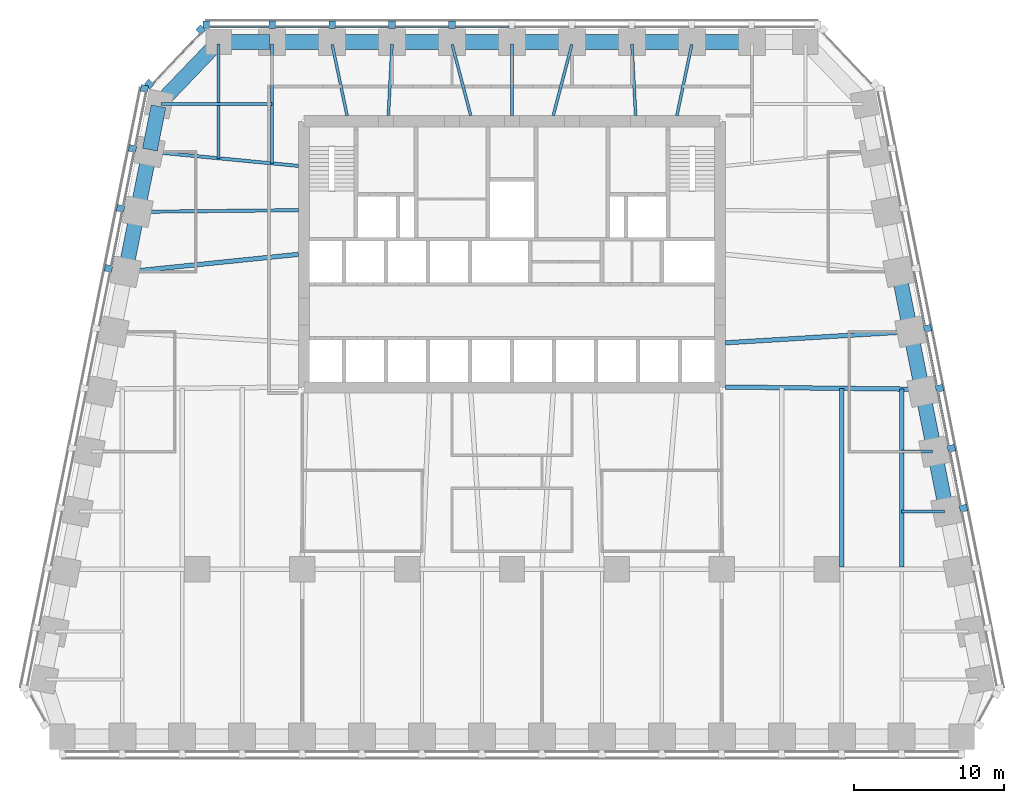
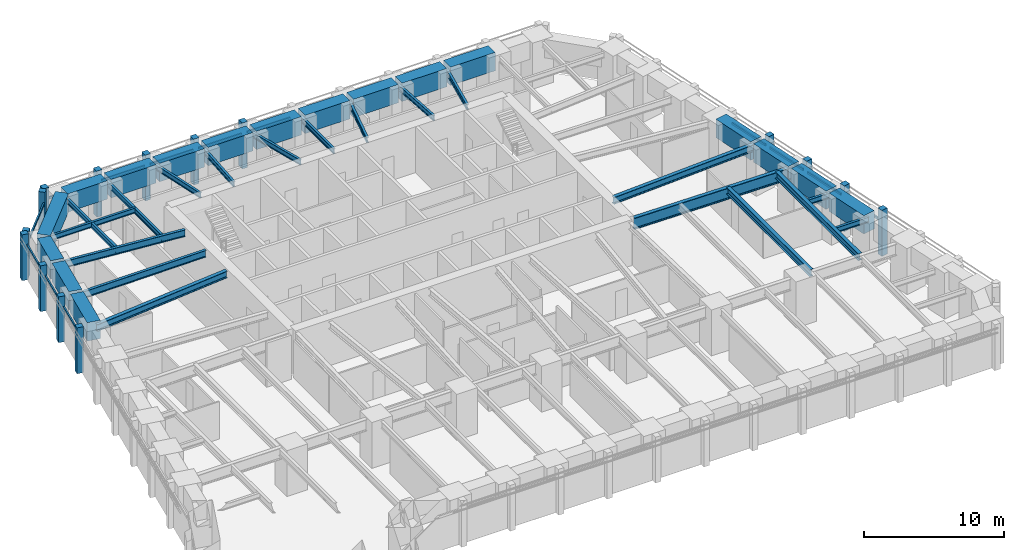
# One storey, part 3 of 10: 36 beams, 28 members, 4 elements without a shape of their own.
"""IFC4 building model written with IfcOpenShell, lengths in metres."""

from ifc_helpers import new_model, si_unit, direction, frame, origin, origin_2d, place, context, subcontext, project, spatial, rectangle, i_section, extrude, material, material_profile, profile_set, type_object, element, aggregate, save


model = new_model("IFC4")

# Units and contexts
model_context = context("Model", 3, precision=1e-05, world=origin(), true_north=direction((0.0, 1.0)))
body_context = subcontext(model_context, "Body", "Model", "MODEL_VIEW")
ifc_project = project(units=[si_unit("LENGTHUNIT", "METRE"), si_unit("AREAUNIT", "SQUARE_METRE"), si_unit("VOLUMEUNIT", "CUBIC_METRE"), si_unit("PLANEANGLEUNIT", "RADIAN"), si_unit("MASSUNIT", "GRAM", prefix="KILO")], contexts=[model_context])

# Site, building, storey
site_placement = place(None, origin())
site = spatial("IfcSite", under=ifc_project, at=site_placement, CompositionType="ELEMENT")
building_placement = place(site_placement, origin())
building = spatial("IfcBuilding", under=site, at=building_placement, Name="Isbrekke Arena Tower", CompositionType="ELEMENT")
storey_placement = place(building_placement, frame((0.0, 0.0, 139.0)))
storey = spatial("IfcBuildingStorey", under=building, at=storey_placement, Name="L31", CompositionType="ELEMENT", Elevation=139.0)

# Beams
ifc_material_1 = material(Name="Steel S355", Category="steel")
ifc_material_profile_1 = material_profile(ifc_material_1, i_section(OverallWidth=0.219970703125, OverallDepth=0.60009765625, WebThickness=0.011962890625, FlangeThickness=0.01904296875, FilletRadius=0.02392578125, at=origin_2d()), Name="IPE 600")
ifc_profile_set_1 = profile_set([ifc_material_profile_1], Name="Steel S355")
beam_type_1 = type_object("IfcBeamType", Name="B1 IPE 600", PredefinedType="BEAM", material=ifc_profile_set_1)
beam_1_placement = place(storey_placement, frame((-24.030517578125, 21.837158203125, 3.550048828125), z_axis=(0.995439798606, -0.095391862082, 0.0), x_axis=(0.095391862082, 0.995439798606, 0.0)))
element("IfcBeam", 1, at=beam_1_placement, inside=storey, type_object=beam_type_1, Name="B1 beam E-W02 L31", PredefinedType="BEAM", context=body_context, shape_type="SweptSolid", body=[
    extrude(i_section(OverallWidth=0.219970703125, OverallDepth=0.60009765625, WebThickness=0.011962890625, FlangeThickness=0.01904296875, FilletRadius=0.02392578125, at=origin_2d()), origin(), (0.0, 0.0, 1.0), 9.825439453125),
])
beam_2_placement = place(storey_placement, frame((-24.83984375, 17.838134765625, 3.550048828125), z_axis=(0.999944260169, 0.010558245831, 0.0), x_axis=(-0.010558245831, 0.999944260169, 0.0)))
element("IfcBeam", 2, at=beam_2_placement, inside=storey, type_object=beam_type_1, Name="B1 beam E-W03 L31", PredefinedType="BEAM", context=body_context, shape_type="SweptSolid", body=[
    extrude(i_section(OverallWidth=0.219970703125, OverallDepth=0.60009765625, WebThickness=0.011962890625, FlangeThickness=0.01904296875, FilletRadius=0.02392578125, at=origin_2d()), origin(), (0.0, 0.0, 1.0), 10.59033203125),
])
ifc_material_2 = material(Name="Steel S355", Category="steel")
ifc_material_profile_2 = material_profile(ifc_material_2, i_section(OverallWidth=0.18994140625, OverallDepth=0.449951171875, WebThickness=0.009521484375, FlangeThickness=0.0146484375, FilletRadius=0.02099609375, at=origin_2d()), Name="IPE 450")
ifc_profile_set_2 = profile_set([ifc_material_profile_2], Name="Steel S355")
beam_type_2 = type_object("IfcBeamType", Name="B2 IPE 450", PredefinedType="BEAM", material=ifc_profile_set_2)
beam_3_placement = place(storey_placement, frame((28.841064453125, -2.161865234375, 3.625), z_axis=(-1.0, 0.0, 0.0), x_axis=(0.0, -1.0, 0.0)))
element("IfcBeam", 3, at=beam_3_placement, inside=storey, type_object=beam_type_2, Name="B2 beam E-E04 L31", PredefinedType="BEAM", context=body_context, shape_type="SweptSolid", body=[
    extrude(i_section(OverallWidth=0.18994140625, OverallDepth=0.449951171875, WebThickness=0.009521484375, FlangeThickness=0.0146484375, FilletRadius=0.02099609375, at=origin_2d()), origin(), (0.0, 0.0, 1.0), 2.841064453125),
])
beam_4_placement = place(storey_placement, frame((28.041015625, 1.838134765625, 3.625), z_axis=(-1.0, 0.0, 0.0), x_axis=(0.0, -1.0, 0.0)))
element("IfcBeam", 4, at=beam_4_placement, inside=storey, type_object=beam_type_2, Name="B2 beam E-E05 L31", PredefinedType="BEAM", context=body_context, shape_type="SweptSolid", body=[
    extrude(i_section(OverallWidth=0.18994140625, OverallDepth=0.449951171875, WebThickness=0.009521484375, FlangeThickness=0.0146484375, FilletRadius=0.02099609375, at=origin_2d()), origin(), (0.0, 0.0, 1.0), 2.041015625),
])
beam_5_placement = place(storey_placement, frame((-23.40283203125, 25.029296875, 3.625), z_axis=(1.0, 0.0, 0.0), x_axis=(0.0, 1.0, 0.0)))
element("IfcBeam", 5, at=beam_5_placement, inside=storey, type_object=beam_type_2, Name="B2 beam E-W01 L31", PredefinedType="BEAM", context=body_context, shape_type="SweptSolid", body=[
    extrude(i_section(OverallWidth=0.18994140625, OverallDepth=0.449951171875, WebThickness=0.009521484375, FlangeThickness=0.0146484375, FilletRadius=0.02099609375, at=origin_2d()), origin(), (0.0, 0.0, 1.0), 7.40283203125),
])
ifc_material_3 = material(Name="Steel S355", Category="steel")
ifc_material_profile_3 = material_profile(ifc_material_3, i_section(OverallWidth=0.18994140625, OverallDepth=0.449951171875, WebThickness=0.009521484375, FlangeThickness=0.0146484375, FilletRadius=0.02099609375, at=origin_2d()), Name="IPE 450")
ifc_profile_set_3 = profile_set([ifc_material_profile_3], Name="Steel S355")
beam_type_3 = type_object("IfcBeamType", Name="B3 IPE 450", PredefinedType="BEAM", material=ifc_profile_set_3)
beam_6_placement = place(storey_placement, frame((-16.0, 29.02490234375, 3.625), z_axis=(0.0, -1.0, 0.0), x_axis=(1.0, 0.0, 0.0)))
element("IfcBeam", 6, at=beam_6_placement, inside=storey, type_object=beam_type_3, Name="B3 beam N-N10 L31", PredefinedType="BEAM", context=body_context, shape_type="SweptSolid", body=[
    extrude(i_section(OverallWidth=0.18994140625, OverallDepth=0.449951171875, WebThickness=0.009521484375, FlangeThickness=0.0146484375, FilletRadius=0.02099609375, at=origin_2d()), origin(), (0.0, 0.0, 1.0), 7.957275390625),
])
beam_7_placement = place(storey_placement, frame((-19.574951171875, 29.02490234375, 3.625), z_axis=(0.0, -1.0, 0.0), x_axis=(1.0, 0.0, 0.0)))
element("IfcBeam", 7, at=beam_7_placement, inside=storey, type_object=beam_type_3, Name="B3 beam N-N11 L31", PredefinedType="BEAM", context=body_context, shape_type="SweptSolid", body=[
    extrude(i_section(OverallWidth=0.18994140625, OverallDepth=0.449951171875, WebThickness=0.009521484375, FlangeThickness=0.0146484375, FilletRadius=0.02099609375, at=origin_2d()), origin(), (0.0, 0.0, 1.0), 7.61474609375),
])
beam_8_placement = place(storey_placement, frame((11.99609375, 29.005859375, 3.625), z_axis=(-0.20499748459, -0.978762499952, 0.0), x_axis=(0.978762499952, -0.20499748459, 0.0)))
element("IfcBeam", 8, at=beam_8_placement, inside=storey, type_object=beam_type_3, Name="B3 beam N-N03 L31", PredefinedType="BEAM", context=body_context, shape_type="SweptSolid", body=[
    extrude(i_section(OverallWidth=0.18994140625, OverallDepth=0.449951171875, WebThickness=0.009521484375, FlangeThickness=0.0146484375, FilletRadius=0.02099609375, at=origin_2d()), origin(), (0.0, 0.0, 1.0), 4.859130859375),
])
beam_9_placement = place(storey_placement, frame((8.000244140625, 29.02001953125, 3.625), z_axis=(0.052287879538, -0.998632053187, 0.0), x_axis=(0.998632053187, 0.052287879538, 0.0)))
element("IfcBeam", 9, at=beam_9_placement, inside=storey, type_object=beam_type_3, Name="B3 beam N-N04 L31", PredefinedType="BEAM", context=body_context, shape_type="SweptSolid", body=[
    extrude(i_section(OverallWidth=0.18994140625, OverallDepth=0.449951171875, WebThickness=0.009521484375, FlangeThickness=0.0146484375, FilletRadius=0.02099609375, at=origin_2d()), origin(), (0.0, 0.0, 1.0), 4.776611328125),
])
beam_10_placement = place(storey_placement, frame((3.993896484375, 29.001708984375, 3.625), z_axis=(-0.253245319824, -0.967402092197, 0.0), x_axis=(0.967402092197, -0.253245319824, 0.0)))
element("IfcBeam", 10, at=beam_10_placement, inside=storey, type_object=beam_type_3, Name="B3 beam N-N05 L31", PredefinedType="BEAM", context=body_context, shape_type="SweptSolid", body=[
    extrude(i_section(OverallWidth=0.18994140625, OverallDepth=0.449951171875, WebThickness=0.009521484375, FlangeThickness=0.0146484375, FilletRadius=0.02099609375, at=origin_2d()), origin(), (0.0, 0.0, 1.0), 4.911865234375),
])
beam_11_placement = place(storey_placement, frame((0.0, 29.02490234375, 3.625), z_axis=(0.0, -1.0, 0.0), x_axis=(1.0, 0.0, 0.0)))
element("IfcBeam", 11, at=beam_11_placement, inside=storey, type_object=beam_type_3, Name="B3 beam N-N06 L31", PredefinedType="BEAM", context=body_context, shape_type="SweptSolid", body=[
    extrude(i_section(OverallWidth=0.18994140625, OverallDepth=0.449951171875, WebThickness=0.009521484375, FlangeThickness=0.0146484375, FilletRadius=0.02099609375, at=origin_2d()), origin(), (0.0, 0.0, 1.0), 4.77490234375),
])
beam_12_placement = place(storey_placement, frame((-3.993896484375, 29.001708984375, 3.625), z_axis=(0.253245319824, -0.967402092197, 0.0), x_axis=(0.967402092197, 0.253245319824, 0.0)))
element("IfcBeam", 12, at=beam_12_placement, inside=storey, type_object=beam_type_3, Name="B3 beam N-N07 L31", PredefinedType="BEAM", context=body_context, shape_type="SweptSolid", body=[
    extrude(i_section(OverallWidth=0.18994140625, OverallDepth=0.449951171875, WebThickness=0.009521484375, FlangeThickness=0.0146484375, FilletRadius=0.02099609375, at=origin_2d()), origin(), (0.0, 0.0, 1.0), 4.911865234375),
])
beam_13_placement = place(storey_placement, frame((-8.000244140625, 29.02001953125, 3.625), z_axis=(-0.052287879538, -0.998632053187, 0.0), x_axis=(0.998632053187, -0.052287879538, 0.0)))
element("IfcBeam", 13, at=beam_13_placement, inside=storey, type_object=beam_type_3, Name="B3 beam N-N08 L31", PredefinedType="BEAM", context=body_context, shape_type="SweptSolid", body=[
    extrude(i_section(OverallWidth=0.18994140625, OverallDepth=0.449951171875, WebThickness=0.009521484375, FlangeThickness=0.0146484375, FilletRadius=0.02099609375, at=origin_2d()), origin(), (0.0, 0.0, 1.0), 4.776611328125),
])
beam_14_placement = place(storey_placement, frame((-11.99609375, 29.005859375, 3.625), z_axis=(0.20499748459, -0.978762499952, 0.0), x_axis=(0.978762499952, 0.20499748459, 0.0)))
element("IfcBeam", 14, at=beam_14_placement, inside=storey, type_object=beam_type_3, Name="B3 beam N-N09 L31", PredefinedType="BEAM", context=body_context, shape_type="SweptSolid", body=[
    extrude(i_section(OverallWidth=0.18994140625, OverallDepth=0.449951171875, WebThickness=0.009521484375, FlangeThickness=0.0146484375, FilletRadius=0.02099609375, at=origin_2d()), origin(), (0.0, 0.0, 1.0), 4.859130859375),
])
ifc_material_4 = material(Name="Steel S355", Category="steel")
ifc_material_profile_4 = material_profile(ifc_material_4, i_section(OverallWidth=0.300048828125, OverallDepth=0.60009765625, WebThickness=0.015380859375, FlangeThickness=0.030029296875, FilletRadius=0.027099609375, at=origin_2d()), Name="HEB 600")
ifc_profile_set_4 = profile_set([ifc_material_profile_4], Name="Steel S355")
beam_type_4 = type_object("IfcBeamType", Name="B7 HEB 600", PredefinedType="BEAM", material=ifc_profile_set_4)
beam_15_placement = place(storey_placement, frame((22.0, -5.84912109375, 3.550048828125), z_axis=(0.0, 1.0, 0.0), x_axis=(-1.0, 0.0, 0.0)))
element("IfcBeam", 15, at=beam_15_placement, inside=storey, type_object=beam_type_4, Name="B7 beam C-M13 L31", PredefinedType="BEAM", context=body_context, shape_type="SweptSolid", body=[
    extrude(i_section(OverallWidth=0.300048828125, OverallDepth=0.60009765625, WebThickness=0.015380859375, FlangeThickness=0.030029296875, FilletRadius=0.027099609375, at=origin_2d()), origin(), (0.0, 0.0, 1.0), 11.91064453125),
])
beam_16_placement = place(storey_placement, frame((26.0, -5.84912109375, 3.550048828125), z_axis=(0.0, 1.0, 0.0), x_axis=(-1.0, 0.0, 0.0)))
element("IfcBeam", 16, at=beam_16_placement, inside=storey, type_object=beam_type_4, Name="B7 beam C-M14 L31", PredefinedType="BEAM", context=body_context, shape_type="SweptSolid", body=[
    extrude(i_section(OverallWidth=0.300048828125, OverallDepth=0.60009765625, WebThickness=0.015380859375, FlangeThickness=0.030029296875, FilletRadius=0.027099609375, at=origin_2d()), origin(), (0.0, 0.0, 1.0), 11.864990234375),
])
beam_17_placement = place(storey_placement, frame((26.431884765625, 9.837646484375, 3.550048828125), z_axis=(-0.998172191876, -0.060434057993, 0.0), x_axis=(0.060434057993, -0.998172191876, 0.0)))
element("IfcBeam", 17, at=beam_17_placement, inside=storey, type_object=beam_type_4, Name="B7 beam E-E07 L31", PredefinedType="BEAM", context=body_context, shape_type="SweptSolid", body=[
    extrude(i_section(OverallWidth=0.300048828125, OverallDepth=0.60009765625, WebThickness=0.015380859375, FlangeThickness=0.030029296875, FilletRadius=0.027099609375, at=origin_2d()), origin(), (0.0, 0.0, 1.0), 12.2041015625),
])
beam_18_placement = place(storey_placement, frame((-25.6259765625, 13.83984375, 3.550048828125), z_axis=(0.994839949319, 0.10145676537, 0.0), x_axis=(-0.10145676537, 0.994839949319, 0.0)))
element("IfcBeam", 18, at=beam_18_placement, inside=storey, type_object=beam_type_4, Name="B7 beam E-W04 L31", PredefinedType="BEAM", context=body_context, shape_type="SweptSolid", body=[
    extrude(i_section(OverallWidth=0.300048828125, OverallDepth=0.60009765625, WebThickness=0.015380859375, FlangeThickness=0.030029296875, FilletRadius=0.027099609375, at=origin_2d()), origin(), (0.0, 0.0, 1.0), 11.43505859375),
])

# Curtain wall, members
ifc_material_5 = material(Name="Glazed aluminium curtain wall", Category="aluminium")
curtain_wall_type = type_object("IfcCurtainWallType", Name="CWM TOWER CURTAIN WALL MID ZONE", PredefinedType="USERDEFINED", material=ifc_material_5)
curtain_wall_1_placement = place(storey_placement, origin())
curtain_wall_1 = element("IfcCurtainWall", 19, at=curtain_wall_1_placement, inside=storey, type_object=curtain_wall_type, Name="CWM curtain wall L31-E", ObjectType="TOWER CURTAIN WALL MID ZONE", PredefinedType="USERDEFINED")
ifc_material_6 = material(Name="Aluminium mullion, pale brick slip cladding", Category="masonry")
ifc_material_profile_5 = material_profile(ifc_material_6, rectangle(XDim=0.449951171875, YDim=0.5, at=origin_2d()), Name="PIER 450X500")
ifc_profile_set_5 = profile_set([ifc_material_profile_5], Name="Aluminium mullion, pale brick slip cladding")
member_type_1 = type_object("IfcMemberType", Name="CWM-M PIER MULLION 450 x 500", PredefinedType="MULLION", material=ifc_profile_set_5)
member_1_placement = place(storey_placement, frame((30.11865234375, -1.936279296875, 0.0), z_axis=(0.0, 0.0, 1.0), x_axis=(-0.196116135138, 0.980580675691, 0.0)))
member_1 = element("IfcMember", 20, at=member_1_placement, type_object=member_type_1, Name="CWM-M mullion 4", PredefinedType="MULLION", context=body_context, shape_type="SweptSolid", body=[
    extrude(rectangle(XDim=0.449951171875, YDim=0.5, at=origin_2d()), origin(), (0.0, 0.0, 1.0), 4.0),
])
member_2_placement = place(storey_placement, frame((29.318603515625, 2.063720703125, 0.0), z_axis=(0.0, 0.0, 1.0), x_axis=(-0.196116135138, 0.980580675691, 0.0)))
member_2 = element("IfcMember", 21, at=member_2_placement, type_object=member_type_1, Name="CWM-M mullion 5", PredefinedType="MULLION", context=body_context, shape_type="SweptSolid", body=[
    extrude(rectangle(XDim=0.449951171875, YDim=0.5, at=origin_2d()), origin(), (0.0, 0.0, 1.0), 4.0),
])
member_3_placement = place(storey_placement, frame((28.518798828125, 6.063720703125, 0.0), z_axis=(0.0, 0.0, 1.0), x_axis=(-0.196116135138, 0.980580675691, 0.0)))
member_3 = element("IfcMember", 22, at=member_3_placement, type_object=member_type_1, Name="CWM-M mullion 6", PredefinedType="MULLION", context=body_context, shape_type="SweptSolid", body=[
    extrude(rectangle(XDim=0.449951171875, YDim=0.5, at=origin_2d()), origin(), (0.0, 0.0, 1.0), 4.0),
])
member_4_placement = place(storey_placement, frame((27.71875, 10.063720703125, 0.0), z_axis=(0.0, 0.0, 1.0), x_axis=(-0.196116135138, 0.980580675691, 0.0)))
member_4 = element("IfcMember", 23, at=member_4_placement, type_object=member_type_1, Name="CWM-M mullion 7", PredefinedType="MULLION", context=body_context, shape_type="SweptSolid", body=[
    extrude(rectangle(XDim=0.449951171875, YDim=0.5, at=origin_2d()), origin(), (0.0, 0.0, 1.0), 4.0),
])

curtain_wall_2_placement = place(storey_placement, origin())
curtain_wall_2 = element("IfcCurtainWall", 24, at=curtain_wall_2_placement, inside=storey, type_object=curtain_wall_type, Name="CWM curtain wall L31-N", ObjectType="TOWER CURTAIN WALL MID ZONE", PredefinedType="USERDEFINED")
member_5_placement = place(storey_placement, frame((-4.0, 30.324951171875, 0.0), z_axis=(0.0, 0.0, 1.0), x_axis=(-1.0, 0.0, 0.0)))
member_5 = element("IfcMember", 25, at=member_5_placement, type_object=member_type_1, Name="CWM-M mullion 7", PredefinedType="MULLION", context=body_context, shape_type="SweptSolid", body=[
    extrude(rectangle(XDim=0.449951171875, YDim=0.5, at=origin_2d()), origin(), (0.0, 0.0, 1.0), 4.0),
])
member_6_placement = place(storey_placement, frame((-8.0, 30.324951171875, 0.0), z_axis=(0.0, 0.0, 1.0), x_axis=(-1.0, 0.0, 0.0)))
member_6 = element("IfcMember", 26, at=member_6_placement, type_object=member_type_1, Name="CWM-M mullion 8", PredefinedType="MULLION", context=body_context, shape_type="SweptSolid", body=[
    extrude(rectangle(XDim=0.449951171875, YDim=0.5, at=origin_2d()), origin(), (0.0, 0.0, 1.0), 4.0),
])
member_7_placement = place(storey_placement, frame((-12.0, 30.324951171875, 0.0), z_axis=(0.0, 0.0, 1.0), x_axis=(-1.0, 0.0, 0.0)))
member_7 = element("IfcMember", 27, at=member_7_placement, type_object=member_type_1, Name="CWM-M mullion 9", PredefinedType="MULLION", context=body_context, shape_type="SweptSolid", body=[
    extrude(rectangle(XDim=0.449951171875, YDim=0.5, at=origin_2d()), origin(), (0.0, 0.0, 1.0), 4.0),
])
member_8_placement = place(storey_placement, frame((-16.0, 30.324951171875, 0.0), z_axis=(0.0, 0.0, 1.0), x_axis=(-1.0, 0.0, 0.0)))
member_8 = element("IfcMember", 28, at=member_8_placement, type_object=member_type_1, Name="CWM-M mullion 10", PredefinedType="MULLION", context=body_context, shape_type="SweptSolid", body=[
    extrude(rectangle(XDim=0.449951171875, YDim=0.5, at=origin_2d()), origin(), (0.0, 0.0, 1.0), 4.0),
])
member_9_placement = place(storey_placement, frame((-20.39990234375, 30.324951171875, 0.0), z_axis=(0.0, 0.0, 1.0), x_axis=(-1.0, 0.0, 0.0)))
member_9 = element("IfcMember", 29, at=member_9_placement, type_object=member_type_1, Name="CWM-M mullion 11", PredefinedType="MULLION", context=body_context, shape_type="SweptSolid", body=[
    extrude(rectangle(XDim=0.449951171875, YDim=0.5, at=origin_2d()), origin(), (0.0, 0.0, 1.0), 4.0),
])

curtain_wall_3_placement = place(storey_placement, origin())
curtain_wall_3 = element("IfcCurtainWall", 30, at=curtain_wall_3_placement, inside=storey, type_object=curtain_wall_type, Name="CWM curtain wall L31-NW", ObjectType="TOWER CURTAIN WALL MID ZONE", PredefinedType="USERDEFINED")
member_10_placement = place(storey_placement, frame((-20.759033203125, 29.985107421875, 0.0), z_axis=(0.0, 0.0, 1.0), x_axis=(-0.68874946192, -0.72499943359, 0.0)))
member_10 = element("IfcMember", 31, at=member_10_placement, type_object=member_type_1, Name="CWM-M mullion 1", PredefinedType="MULLION", context=body_context, shape_type="SweptSolid", body=[
    extrude(rectangle(XDim=0.449951171875, YDim=0.5, at=origin_2d()), origin(), (0.0, 0.0, 1.0), 4.0),
])
member_11_placement = place(storey_placement, frame((-24.207763671875, 26.35498046875, 0.0), z_axis=(0.0, 0.0, 1.0), x_axis=(-0.68874946192, -0.72499943359, 0.0)))
member_11 = element("IfcMember", 32, at=member_11_placement, type_object=member_type_1, Name="CWM-M mullion 2", PredefinedType="MULLION", context=body_context, shape_type="SweptSolid", body=[
    extrude(rectangle(XDim=0.449951171875, YDim=0.5, at=origin_2d()), origin(), (0.0, 0.0, 1.0), 4.0),
])

curtain_wall_4_placement = place(storey_placement, origin())
curtain_wall_4 = element("IfcCurtainWall", 33, at=curtain_wall_4_placement, inside=storey, type_object=curtain_wall_type, Name="CWM curtain wall L31-W", ObjectType="TOWER CURTAIN WALL MID ZONE", PredefinedType="USERDEFINED")
member_12_placement = place(storey_placement, frame((-24.518798828125, 26.063720703125, 0.0), z_axis=(0.0, 0.0, 1.0), x_axis=(-0.196116135138, -0.980580675691, 0.0)))
member_12 = element("IfcMember", 34, at=member_12_placement, type_object=member_type_1, Name="CWM-M mullion 1", PredefinedType="MULLION", context=body_context, shape_type="SweptSolid", body=[
    extrude(rectangle(XDim=0.449951171875, YDim=0.5, at=origin_2d()), origin(), (0.0, 0.0, 1.0), 4.0),
])
member_13_placement = place(storey_placement, frame((-25.318603515625, 22.063720703125, 0.0), z_axis=(0.0, 0.0, 1.0), x_axis=(-0.196116135138, -0.980580675691, 0.0)))
member_13 = element("IfcMember", 35, at=member_13_placement, type_object=member_type_1, Name="CWM-M mullion 2", PredefinedType="MULLION", context=body_context, shape_type="SweptSolid", body=[
    extrude(rectangle(XDim=0.449951171875, YDim=0.5, at=origin_2d()), origin(), (0.0, 0.0, 1.0), 4.0),
])
member_14_placement = place(storey_placement, frame((-26.11865234375, 18.063720703125, 0.0), z_axis=(0.0, 0.0, 1.0), x_axis=(-0.196116135138, -0.980580675691, 0.0)))
member_14 = element("IfcMember", 36, at=member_14_placement, type_object=member_type_1, Name="CWM-M mullion 3", PredefinedType="MULLION", context=body_context, shape_type="SweptSolid", body=[
    extrude(rectangle(XDim=0.449951171875, YDim=0.5, at=origin_2d()), origin(), (0.0, 0.0, 1.0), 4.0),
])
member_15_placement = place(storey_placement, frame((-26.918701171875, 14.063720703125, 0.0), z_axis=(0.0, 0.0, 1.0), x_axis=(-0.196116135138, -0.980580675691, 0.0)))
member_15 = element("IfcMember", 37, at=member_15_placement, type_object=member_type_1, Name="CWM-M mullion 4", PredefinedType="MULLION", context=body_context, shape_type="SweptSolid", body=[
    extrude(rectangle(XDim=0.449951171875, YDim=0.5, at=origin_2d()), origin(), (0.0, 0.0, 1.0), 4.0),
])

# Member
ifc_material_7 = material(Name="Aluminium transom", Category="aluminium")
ifc_material_profile_6 = material_profile(ifc_material_7, rectangle(XDim=0.1201171875, YDim=0.199951171875, at=origin_2d()), Name="TRANSOM 120X200")
ifc_profile_set_6 = profile_set([ifc_material_profile_6], Name="Aluminium transom")
member_type_2 = type_object("IfcMemberType", Name="CWM-T TRANSOM 120 x 200", PredefinedType="USERDEFINED", material=ifc_profile_set_6)
member_16_placement = place(storey_placement, frame((29.927490234375, -1.7451171875, 3.0), z_axis=(-0.196090262229, 0.980585849918, 0.0), x_axis=(-0.980585849918, -0.196090262229, 0.0)))
member_16 = element("IfcMember", 38, at=member_16_placement, type_object=member_type_2, Name="CWM-T transom 4", ObjectType="TRANSOM", PredefinedType="USERDEFINED", context=body_context, shape_type="SweptSolid", body=[
    extrude(rectangle(XDim=0.1201171875, YDim=0.199951171875, at=origin_2d()), origin(), (0.0, 0.0, 1.0), 3.62939453125),
])

member_17_placement = place(storey_placement, frame((29.12744140625, 2.2548828125, 3.0), z_axis=(-0.196090262229, 0.980585849918, 0.0), x_axis=(-0.980585849918, -0.196090262229, 0.0)))
member_17 = element("IfcMember", 39, at=member_17_placement, type_object=member_type_2, Name="CWM-T transom 5", ObjectType="TRANSOM", PredefinedType="USERDEFINED", context=body_context, shape_type="SweptSolid", body=[
    extrude(rectangle(XDim=0.1201171875, YDim=0.199951171875, at=origin_2d()), origin(), (0.0, 0.0, 1.0), 3.62939453125),
])

member_18_placement = place(storey_placement, frame((28.327392578125, 6.2548828125, 3.0), z_axis=(-0.196090262229, 0.980585849918, 0.0), x_axis=(-0.980585849918, -0.196090262229, 0.0)))
member_18 = element("IfcMember", 40, at=member_18_placement, type_object=member_type_2, Name="CWM-T transom 6", ObjectType="TRANSOM", PredefinedType="USERDEFINED", context=body_context, shape_type="SweptSolid", body=[
    extrude(rectangle(XDim=0.1201171875, YDim=0.199951171875, at=origin_2d()), origin(), (0.0, 0.0, 1.0), 3.62939453125),
])

member_19_placement = place(storey_placement, frame((27.527587890625, 10.2548828125, 3.0), z_axis=(-0.196154943734, 0.980572913173, 0.0), x_axis=(-0.980572913173, -0.196154943734, 0.0)))
member_19 = element("IfcMember", 41, at=member_19_placement, type_object=member_type_2, Name="CWM-T transom 7", ObjectType="TRANSOM", PredefinedType="USERDEFINED", context=body_context, shape_type="SweptSolid", body=[
    extrude(rectangle(XDim=0.1201171875, YDim=0.199951171875, at=origin_2d()), origin(), (0.0, 0.0, 1.0), 3.62939453125),
])

aggregate(curtain_wall_1, [member_1, member_2, member_3, member_4, member_16, member_17, member_18, member_19])

member_20_placement = place(storey_placement, frame((-0.22509765625, 30.175048828125, 3.0), z_axis=(-1.0, 0.0, 0.0), x_axis=(0.0, -1.0, 0.0)))
member_20 = element("IfcMember", 42, at=member_20_placement, type_object=member_type_2, Name="CWM-T transom 6", ObjectType="TRANSOM", PredefinedType="USERDEFINED", context=body_context, shape_type="SweptSolid", body=[
    extrude(rectangle(XDim=0.1201171875, YDim=0.199951171875, at=origin_2d()), origin(), (0.0, 0.0, 1.0), 3.5498046875),
])

member_21_placement = place(storey_placement, frame((-4.22509765625, 30.175048828125, 3.0), z_axis=(-1.0, 0.0, 0.0), x_axis=(0.0, -1.0, 0.0)))
member_21 = element("IfcMember", 43, at=member_21_placement, type_object=member_type_2, Name="CWM-T transom 7", ObjectType="TRANSOM", PredefinedType="USERDEFINED", context=body_context, shape_type="SweptSolid", body=[
    extrude(rectangle(XDim=0.1201171875, YDim=0.199951171875, at=origin_2d()), origin(), (0.0, 0.0, 1.0), 3.5498046875),
])

member_22_placement = place(storey_placement, frame((-8.22509765625, 30.175048828125, 3.0), z_axis=(-1.0, 0.0, 0.0), x_axis=(0.0, -1.0, 0.0)))
member_22 = element("IfcMember", 44, at=member_22_placement, type_object=member_type_2, Name="CWM-T transom 8", ObjectType="TRANSOM", PredefinedType="USERDEFINED", context=body_context, shape_type="SweptSolid", body=[
    extrude(rectangle(XDim=0.1201171875, YDim=0.199951171875, at=origin_2d()), origin(), (0.0, 0.0, 1.0), 3.5498046875),
])

member_23_placement = place(storey_placement, frame((-12.22509765625, 30.175048828125, 3.0), z_axis=(-1.0, 0.0, 0.0), x_axis=(0.0, -1.0, 0.0)))
member_23 = element("IfcMember", 45, at=member_23_placement, type_object=member_type_2, Name="CWM-T transom 9", ObjectType="TRANSOM", PredefinedType="USERDEFINED", context=body_context, shape_type="SweptSolid", body=[
    extrude(rectangle(XDim=0.1201171875, YDim=0.199951171875, at=origin_2d()), origin(), (0.0, 0.0, 1.0), 3.5498046875),
])

member_24_placement = place(storey_placement, frame((-16.22509765625, 30.175048828125, 3.0), z_axis=(-1.0, 0.0, 0.0), x_axis=(0.0, -1.0, 0.0)))
member_24 = element("IfcMember", 46, at=member_24_placement, type_object=member_type_2, Name="CWM-T transom 10", ObjectType="TRANSOM", PredefinedType="USERDEFINED", context=body_context, shape_type="SweptSolid", body=[
    extrude(rectangle(XDim=0.1201171875, YDim=0.199951171875, at=origin_2d()), origin(), (0.0, 0.0, 1.0), 3.949951171875),
])

aggregate(curtain_wall_2, [member_5, member_6, member_7, member_8, member_9, member_20, member_21, member_22, member_23, member_24])

member_25_placement = place(storey_placement, frame((-20.80517578125, 29.71875, 3.0), z_axis=(-0.688739606035, -0.725008796552, 0.0), x_axis=(0.725008796552, -0.688739606035, 0.0)))
member_25 = element("IfcMember", 47, at=member_25_placement, type_object=member_type_2, Name="CWM-T transom 1", ObjectType="TRANSOM", PredefinedType="USERDEFINED", context=body_context, shape_type="SweptSolid", body=[
    extrude(rectangle(XDim=0.1201171875, YDim=0.199951171875, at=origin_2d()), origin(), (0.0, 0.0, 1.0), 4.55712890625),
])

aggregate(curtain_wall_3, [member_10, member_11, member_25])

member_26_placement = place(storey_placement, frame((-24.415771484375, 25.813720703125, 3.0), z_axis=(-0.196090262229, -0.980585849918, 0.0), x_axis=(0.980585849918, -0.196090262229, 0.0)))
member_26 = element("IfcMember", 48, at=member_26_placement, type_object=member_type_2, Name="CWM-T transom 1", ObjectType="TRANSOM", PredefinedType="USERDEFINED", context=body_context, shape_type="SweptSolid", body=[
    extrude(rectangle(XDim=0.1201171875, YDim=0.199951171875, at=origin_2d()), origin(), (0.0, 0.0, 1.0), 3.62939453125),
])

member_27_placement = place(storey_placement, frame((-25.2158203125, 21.813720703125, 3.0), z_axis=(-0.196090262229, -0.980585849918, 0.0), x_axis=(0.980585849918, -0.196090262229, 0.0)))
member_27 = element("IfcMember", 49, at=member_27_placement, type_object=member_type_2, Name="CWM-T transom 2", ObjectType="TRANSOM", PredefinedType="USERDEFINED", context=body_context, shape_type="SweptSolid", body=[
    extrude(rectangle(XDim=0.1201171875, YDim=0.199951171875, at=origin_2d()), origin(), (0.0, 0.0, 1.0), 3.62939453125),
])

member_28_placement = place(storey_placement, frame((-26.015625, 17.813720703125, 3.0), z_axis=(-0.196154943734, -0.980572913173, 0.0), x_axis=(0.980572913173, -0.196154943734, 0.0)))
member_28 = element("IfcMember", 50, at=member_28_placement, type_object=member_type_2, Name="CWM-T transom 3", ObjectType="TRANSOM", PredefinedType="USERDEFINED", context=body_context, shape_type="SweptSolid", body=[
    extrude(rectangle(XDim=0.1201171875, YDim=0.199951171875, at=origin_2d()), origin(), (0.0, 0.0, 1.0), 3.62939453125),
])

aggregate(curtain_wall_4, [member_12, member_13, member_14, member_15, member_26, member_27, member_28])

# Beams
ifc_material_8 = material(Name="Steel S355", Category="steel")
ifc_material_profile_7 = material_profile(ifc_material_8, i_section(OverallWidth=0.302001953125, OverallDepth=1.008056640625, WebThickness=0.02099609375, FlangeThickness=0.0400390625, FilletRadius=0.030029296875, at=origin_2d()), Name="HEM 1000")
ifc_profile_set_7 = profile_set([ifc_material_profile_7], Name="Steel S355")
beam_type_5 = type_object("IfcBeamType", Name="G2 HEM 1000", PredefinedType="BEAM", material=ifc_profile_set_7)
beam_19_placement = place(storey_placement, frame((14.25, 6.14990234375, 3.345947265625), z_axis=(0.999934928157, -0.011407867963, 0.0), x_axis=(0.011407867963, 0.999934928157, 0.0)))
element("IfcBeam", 51, at=beam_19_placement, inside=storey, type_object=beam_type_5, Name="G2 beam G2-E L31", PredefinedType="BEAM", context=body_context, shape_type="SweptSolid", body=[
    extrude(i_section(OverallWidth=0.302001953125, OverallDepth=1.008056640625, WebThickness=0.02099609375, FlangeThickness=0.0400390625, FilletRadius=0.030029296875, at=origin_2d()), origin(), (0.0, 0.0, 1.0), 13.140380859375),
])
ifc_material_9 = material(Name="Concrete B80 (C80/95)", Category="concrete")
ifc_material_profile_8 = material_profile(ifc_material_9, rectangle(XDim=1.0, YDim=1.60009765625, at=origin_2d()), Name="RC 1000x1600")
ifc_profile_set_8 = profile_set([ifc_material_profile_8], Name="Concrete B80 (C80/95)")
beam_type_6 = type_object("IfcBeamType", Name="SB2 RC 1000 x 1600", PredefinedType="SPANDREL", material=ifc_profile_set_8)
for number, where, z_axis, x_axis, name in (
    (52, (28.961669921875, -2.0146484375, 3.199951171875), (-0.196128558387, 0.980578190959, 0.0), (-0.980578190959, -0.196128558387, 0.0), "SB2 spandrel E04-E05 L31"),
    (53, (28.16162109375, 1.9853515625, 3.199951171875), (-0.196128558387, 0.980578190959, 0.0), (-0.980578190959, -0.196128558387, 0.0), "SB2 spandrel E05-E06 L31"),
    (54, (27.361572265625, 5.9853515625, 3.199951171875), (-0.196128558387, 0.980578190959, 0.0), (-0.980578190959, -0.196128558387, 0.0), "SB2 spandrel E06-E07 L31"),
):
    element("IfcBeam", number, at=place(storey_placement, frame(where, z_axis=z_axis, x_axis=x_axis)), inside=storey, type_object=beam_type_6, Name=name, PredefinedType="SPANDREL", context=body_context, shape_type="SweptSolid", body=[
        extrude(rectangle(XDim=1.0, YDim=1.60009765625, at=origin_2d()), origin(), (0.0, 0.0, 1.0), 3.779296875),
    ])
beam_20_placement = place(storey_placement, frame((26.5615234375, 9.9853515625, 3.199951171875), z_axis=(-0.1960664412, 0.980590613169, 0.0), x_axis=(-0.980590613169, -0.1960664412, 0.0)))
element("IfcBeam", 55, at=beam_20_placement, inside=storey, type_object=beam_type_6, Name="SB2 spandrel E07-E08 L31", PredefinedType="SPANDREL", context=body_context, shape_type="SweptSolid", body=[
    extrude(rectangle(XDim=1.0, YDim=1.60009765625, at=origin_2d()), origin(), (0.0, 0.0, 1.0), 3.779052734375),
])
for number, where, z_axis, x_axis, name in (
    (56, (15.85009765625, 29.175048828125, 3.199951171875), (-1.0, 0.0, 0.0), (0.0, -1.0, 0.0), "SB2 spandrel N02-N03 L31"),
    (57, (11.85009765625, 29.175048828125, 3.199951171875), (-1.0, 0.0, 0.0), (0.0, -1.0, 0.0), "SB2 spandrel N03-N04 L31"),
    (58, (7.85009765625, 29.175048828125, 3.199951171875), (-1.0, 0.0, 0.0), (0.0, -1.0, 0.0), "SB2 spandrel N04-N05 L31"),
    (59, (3.85009765625, 29.175048828125, 3.199951171875), (-1.0, 0.0, 0.0), (0.0, -1.0, 0.0), "SB2 spandrel N05-N06 L31"),
    (60, (-0.14990234375, 29.175048828125, 3.199951171875), (-1.0, 0.0, 0.0), (0.0, -1.0, 0.0), "SB2 spandrel N06-N07 L31"),
    (61, (-4.14990234375, 29.175048828125, 3.199951171875), (-1.0, 0.0, 0.0), (0.0, -1.0, 0.0), "SB2 spandrel N07-N08 L31"),
    (62, (-8.14990234375, 29.175048828125, 3.199951171875), (-1.0, 0.0, 0.0), (0.0, -1.0, 0.0), "SB2 spandrel N08-N09 L31"),
    (63, (-12.14990234375, 29.175048828125, 3.199951171875), (-1.0, 0.0, 0.0), (0.0, -1.0, 0.0), "SB2 spandrel N09-N10 L31"),
):
    element("IfcBeam", number, at=place(storey_placement, frame(where, z_axis=z_axis, x_axis=x_axis)), inside=storey, type_object=beam_type_6, Name=name, PredefinedType="SPANDREL", context=body_context, shape_type="SweptSolid", body=[
        extrude(rectangle(XDim=1.0, YDim=1.60009765625, at=origin_2d()), origin(), (0.0, 0.0, 1.0), 3.7001953125),
    ])
beam_21_placement = place(storey_placement, frame((-16.14990234375, 29.175048828125, 3.199951171875), z_axis=(-1.0, 0.0, 0.0), x_axis=(0.0, -1.0, 0.0)))
element("IfcBeam", 64, at=beam_21_placement, inside=storey, type_object=beam_type_6, Name="SB2 spandrel N10-N11 L31", PredefinedType="SPANDREL", context=body_context, shape_type="SweptSolid", body=[
    extrude(rectangle(XDim=1.0, YDim=1.60009765625, at=origin_2d()), origin(), (0.0, 0.0, 1.0), 3.275146484375),
])
beam_22_placement = place(storey_placement, frame((-19.678955078125, 29.066650390625, 3.199951171875), z_axis=(-0.692339547635, -0.721571861134, 0.0), x_axis=(0.721571861134, -0.692339547635, 0.0)))
element("IfcBeam", 65, at=beam_22_placement, inside=storey, type_object=beam_type_6, Name="SB2 spandrel N11-W01 L31", PredefinedType="SPANDREL", context=body_context, shape_type="SweptSolid", body=[
    extrude(rectangle(XDim=1.0, YDim=1.60009765625, at=origin_2d()), origin(), (0.0, 0.0, 1.0), 5.4453125),
])
beam_23_placement = place(storey_placement, frame((-23.582275390625, 24.882080078125, 3.199951171875), z_axis=(-0.196116135138, -0.980580675691, 0.0), x_axis=(0.980580675691, -0.196116135138, 0.0)))
element("IfcBeam", 66, at=beam_23_placement, inside=storey, type_object=beam_type_6, Name="SB2 spandrel W01-W02 L31", PredefinedType="SPANDREL", context=body_context, shape_type="SweptSolid", body=[
    extrude(rectangle(XDim=1.0, YDim=1.60009765625, at=origin_2d()), origin(), (0.0, 0.0, 1.0), 2.9541015625),
])
for number, where, z_axis, x_axis, name in (
    (67, (-24.220458984375, 21.691162109375, 3.199951171875), (-0.196128558387, -0.980578190959, 0.0), (0.980578190959, -0.196128558387, 0.0), "SB2 spandrel W02-W03 L31"),
    (68, (-25.0205078125, 17.691162109375, 3.199951171875), (-0.196128558387, -0.980578190959, 0.0), (0.980578190959, -0.196128558387, 0.0), "SB2 spandrel W03-W04 L31"),
):
    element("IfcBeam", number, at=place(storey_placement, frame(where, z_axis=z_axis, x_axis=x_axis)), inside=storey, type_object=beam_type_6, Name=name, PredefinedType="SPANDREL", context=body_context, shape_type="SweptSolid", body=[
        extrude(rectangle(XDim=1.0, YDim=1.60009765625, at=origin_2d()), origin(), (0.0, 0.0, 1.0), 3.779296875),
    ])

save(model, "model.ifc")
